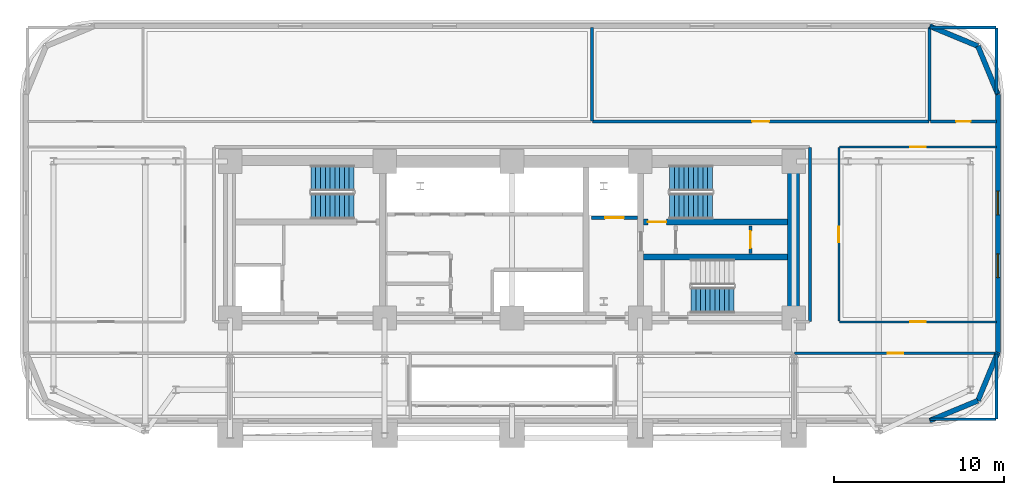
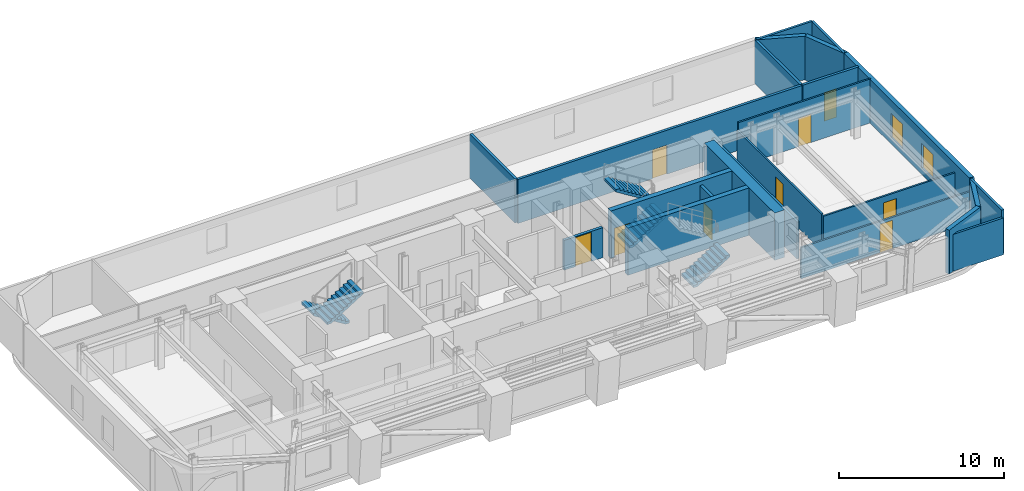
# One storey, part 10 of 15: 23 walls, 9 doors, 5 stair flights, 2 windows, 11 openings, 3 elements without a shape of their own.
"""IFC4 building model written with IfcOpenShell, lengths in metres."""

from ifc_helpers import new_model, si_unit, direction, frame, frame_2d, origin, place, context, subcontext, project, spatial, polyline, rectangle, outline, extrude, material, layer, layer_set, type_object, element, fill, aggregate, save


model = new_model("IFC4")

# Units and contexts
model_context = context("Model", 3, precision=1e-05, world=origin(), true_north=direction((0.0, 1.0)))
body_context = subcontext(model_context, "Body", "Model", "MODEL_VIEW")
ifc_project = project(units=[si_unit("LENGTHUNIT", "METRE"), si_unit("AREAUNIT", "SQUARE_METRE"), si_unit("VOLUMEUNIT", "CUBIC_METRE"), si_unit("PLANEANGLEUNIT", "RADIAN"), si_unit("MASSUNIT", "GRAM", prefix="KILO")], contexts=[model_context])

# Site, building, storey
site_placement = place(None, origin())
site = spatial("IfcSite", under=ifc_project, at=site_placement, CompositionType="ELEMENT")
building_placement = place(site_placement, origin())
building = spatial("IfcBuilding", under=site, at=building_placement, Name="Zarnavel Station Tower", CompositionType="ELEMENT")
storey_placement = place(building_placement, frame((0.0, 0.0, 57.0)))
storey = spatial("IfcBuildingStorey", under=building, at=storey_placement, Name="L15", CompositionType="ELEMENT", Elevation=57.0)

# Wall, opening, door
ifc_material_1 = material(Name="Concrete C50/60", Category="concrete")
ifc_layer_1 = layer(ifc_material_1, 0.35009765625)
ifc_layer_set_1 = layer_set([ifc_layer_1], Name="CW_350")
wall_type_1 = type_object("IfcWallType", Name="CW_350", PredefinedType="SHEAR", material=ifc_layer_set_1)
wall_1_placement = place(storey_placement, frame((45.030029296875, 33.47998046875, 0.0), z_axis=(0.0, 0.0, 1.0), x_axis=(-1.0, 0.0, 0.0)))
wall_1 = element("IfcWall", 1, at=wall_1_placement, inside=storey, type_object=wall_type_1, Name="L15 Rear Core Shear Wall DIV-H2", PredefinedType="SHEAR", context=body_context, shape_type="SweptSolid", body=[
    extrude(rectangle(XDim=8.47509765625, YDim=0.35009765625, at=frame_2d((4.237548828125, 0.0))), origin(), (0.0, 0.0, 1.0), 3.5),
])
opening_1_placement = place(wall_1_placement, frame((7.1298828125, 0.0, 0.0)))
opening_1 = element("IfcOpeningElement", 2, at=opening_1_placement, cuts=wall_1, Name="Opening FD01", PredefinedType="OPENING", context=body_context, shape_type="SweptSolid", body=[
    extrude(rectangle(XDim=1.10009765625, YDim=2.14990234375, at=frame_2d((0.550048828125, 1.074951171875))), frame((0.0, 0.18505859375, 0.0), z_axis=(0.0, -1.0, 0.0), x_axis=(1.0, 0.0, 0.0)), (0.0, 0.0, 1.0), 0.3701171875),
])
ifc_material_2 = material(Name="Painted Galvanised Steel and Hardwood Leaf", Category="steel")
door_type_1 = type_object("IfcDoorType", Name="ID_STAIR_1100", OperationType="NOTDEFINED", PredefinedType="DOOR", material=ifc_material_2)
door_1_placement = place(opening_1_placement, origin())
door_1 = element("IfcDoor", 3, at=door_1_placement, inside=storey, type_object=door_type_1, Name="L15 Stair ST2 Lobby Fire Door", OperationType="SINGLE_SWING_RIGHT", OverallHeight=2.14990234375, OverallWidth=1.10009765625, PredefinedType="DOOR", context=body_context, shape_type="SweptSolid", body=[
    extrude(rectangle(XDim=1.10009765625, YDim=2.14990234375, at=frame_2d((0.550048828125, 1.074951171875))), frame((0.0, 0.02490234375, 0.0), z_axis=(0.0, -1.0, 0.0), x_axis=(1.0, 0.0, 0.0)), (0.0, 0.0, 1.0), 0.050048828125),
])
fill(opening_1, door_1)

# Walls
wall_2_placement = place(storey_placement, frame((36.554931640625, 31.419921875, 0.0), z_axis=(0.0, 0.0, 1.0), x_axis=(1.0, 0.0, 0.0)))
element("IfcWall", 4, at=wall_2_placement, inside=storey, type_object=wall_type_1, Name="L15 Rear Core Shear Wall DIV-H3", PredefinedType="SHEAR", context=body_context, shape_type="SweptSolid", body=[
    extrude(rectangle(XDim=8.47509765625, YDim=0.35009765625, at=frame_2d((4.237548828125, 0.0))), origin(), (0.0, 0.0, 1.0), 3.5),
])
ifc_material_3 = material(Name="Concrete C60/75", Category="concrete")
ifc_layer_2 = layer(ifc_material_3, 0.699951171875)
ifc_layer_set_2 = layer_set([ifc_layer_2], Name="CW_700")
wall_type_2 = type_object("IfcWallType", Name="CW_700", PredefinedType="SHEAR", material=ifc_layer_set_2)
wall_3_placement = place(storey_placement, frame((45.3798828125, 28.169921875, 0.0), z_axis=(0.0, 0.0, 1.0), x_axis=(0.0, 1.0, 0.0)))
element("IfcWall", 5, at=wall_3_placement, inside=storey, type_object=wall_type_2, Name="L15 Rear Core Shear Wall E", PredefinedType="SHEAR", context=body_context, shape_type="SweptSolid", body=[
    extrude(rectangle(XDim=8.530029296875, YDim=0.699951171875, at=frame_2d((4.26513671875, 0.0))), origin(), (0.0, 0.0, 1.0), 3.5),
])
ifc_material_4 = material(Name="Precast concrete C45/55 (Dark Basalt Finish)", Category="masonry")
ifc_layer_3 = layer(ifc_material_4, 0.300048828125)
ifc_layer_set_3 = layer_set([ifc_layer_3], Name="EW_BASALT_300")
wall_type_3 = type_object("IfcWallType", Name="EW_BASALT_300", PredefinedType="SOLIDWALL", material=ifc_layer_set_3)
wall_4_placement = place(storey_placement, frame((56.24267578125, 22.95751953125, 0.0), z_axis=(0.0, 0.0, 1.0), x_axis=(-0.923882414032, -0.382676475685, 0.0)))
element("IfcWall", 6, at=wall_4_placement, inside=storey, type_object=wall_type_3, Name="L15 Exterior Basalt Masonry Frame Wall 01", PredefinedType="SOLIDWALL", context=body_context, shape_type="SweptSolid", body=[
    extrude(rectangle(XDim=3.076904296875, YDim=0.300048828125, at=frame_2d((1.53857421875, 0.0))), origin(), (0.0, 0.0, 1.0), 3.239990234375),
])
wall_5_placement = place(storey_placement, frame((57.419921875, 25.800048828125, 0.0), z_axis=(0.0, 0.0, 1.0), x_axis=(-0.382636798336, -0.92389884758, 0.0)))
element("IfcWall", 7, at=wall_5_placement, inside=storey, type_object=wall_type_3, Name="L15 Exterior Basalt Masonry Frame Wall 02", PredefinedType="SOLIDWALL", context=body_context, shape_type="SweptSolid", body=[
    extrude(rectangle(XDim=3.07666015625, YDim=0.300048828125, at=frame_2d((1.538330078125, 0.0))), origin(), (0.0, 0.0, 1.0), 3.239990234375),
])

# Wall, openings, windows
wall_6_placement = place(storey_placement, frame((57.419921875, 41.0, 0.0), z_axis=(0.0, 0.0, 1.0), x_axis=(0.0, -1.0, 0.0)))
wall_6 = element("IfcWall", 8, at=wall_6_placement, inside=storey, type_object=wall_type_3, Name="L15 Exterior Basalt Masonry Frame Wall 03", PredefinedType="SOLIDWALL", context=body_context, shape_type="SweptSolid", body=[
    extrude(rectangle(XDim=15.199951171875, YDim=0.300048828125, at=frame_2d((7.60009765625, 0.0))), origin(), (0.0, 0.0, 1.0), 3.239990234375),
])
opening_2_placement = place(wall_6_placement, frame((5.699951171875, 0.0, 0.47998046875)))
opening_2 = element("IfcOpeningElement", 9, at=opening_2_placement, cuts=wall_6, Name="Opening WN01", PredefinedType="OPENING", context=body_context, shape_type="SweptSolid", body=[
    extrude(rectangle(XDim=1.39990234375, YDim=1.800048828125, at=frame_2d((0.699951171875, 0.89990234375))), frame((0.0, 0.159912109375, 0.0), z_axis=(0.0, -1.0, 0.0), x_axis=(1.0, 0.0, 0.0)), (0.0, 0.0, 1.0), 0.320068359375),
])
opening_3_placement = place(wall_6_placement, frame((9.39990234375, 0.0, 0.47998046875)))
opening_3 = element("IfcOpeningElement", 10, at=opening_3_placement, cuts=wall_6, Name="Opening WN01", PredefinedType="OPENING", context=body_context, shape_type="SweptSolid", body=[
    extrude(rectangle(XDim=1.39990234375, YDim=1.800048828125, at=frame_2d((0.699951171875, 0.89990234375))), frame((0.0, 0.159912109375, 0.0), z_axis=(0.0, -1.0, 0.0), x_axis=(1.0, 0.0, 0.0)), (0.0, 0.0, 1.0), 0.320068359375),
])
ifc_material_5 = material(Name="Thermally Broken Black Aluminium and Low-E Dark Glass", Category="aluminium")
window_type = type_object("IfcWindowType", Name="WN_1400x1800", PartitioningType="DOUBLE_PANEL_VERTICAL", PredefinedType="WINDOW", material=ifc_material_5)
window_1_placement = place(opening_2_placement, origin())
window_1 = element("IfcWindow", 11, at=window_1_placement, inside=storey, type_object=window_type, Name="L15 Recessed Facade Window 01", OverallHeight=1.800048828125, OverallWidth=1.39990234375, PartitioningType="SINGLE_PANEL", PredefinedType="WINDOW", context=body_context, shape_type="SweptSolid", body=[
    extrude(rectangle(XDim=1.39990234375, YDim=1.800048828125, at=frame_2d((0.699951171875, 0.89990234375))), frame((0.0, 0.030029296875, 0.0), z_axis=(0.0, -1.0, 0.0), x_axis=(1.0, 0.0, 0.0)), (0.0, 0.0, 1.0), 0.06005859375),
])
fill(opening_2, window_1)
window_2_placement = place(opening_3_placement, origin())
window_2 = element("IfcWindow", 12, at=window_2_placement, inside=storey, type_object=window_type, Name="L15 Recessed Facade Window 02", OverallHeight=1.800048828125, OverallWidth=1.39990234375, PartitioningType="SINGLE_PANEL", PredefinedType="WINDOW", context=body_context, shape_type="SweptSolid", body=[
    extrude(rectangle(XDim=1.39990234375, YDim=1.800048828125, at=frame_2d((0.699951171875, 0.89990234375))), frame((0.0, 0.030029296875, 0.0), z_axis=(0.0, -1.0, 0.0), x_axis=(1.0, 0.0, 0.0)), (0.0, 0.0, 1.0), 0.06005859375),
])
fill(opening_3, window_2)

# Walls
wall_7_placement = place(storey_placement, frame((56.24267578125, 43.842529296875, 0.0), z_axis=(0.0, 0.0, 1.0), x_axis=(0.382636798336, -0.92389884758, 0.0)))
element("IfcWall", 13, at=wall_7_placement, inside=storey, type_object=wall_type_3, Name="L15 Exterior Basalt Masonry Frame Wall 04", PredefinedType="SOLIDWALL", context=body_context, shape_type="SweptSolid", body=[
    extrude(rectangle(XDim=3.07666015625, YDim=0.300048828125, at=frame_2d((1.538330078125, 0.0))), origin(), (0.0, 0.0, 1.0), 3.239990234375),
])
wall_8_placement = place(storey_placement, frame((53.39990234375, 45.02001953125, 0.0), z_axis=(0.0, 0.0, 1.0), x_axis=(0.923882414032, -0.382676475685, 0.0)))
element("IfcWall", 14, at=wall_8_placement, inside=storey, type_object=wall_type_3, Name="L15 Exterior Basalt Masonry Frame Wall 05", PredefinedType="SOLIDWALL", context=body_context, shape_type="SweptSolid", body=[
    extrude(rectangle(XDim=3.076904296875, YDim=0.300048828125, at=frame_2d((1.53857421875, 0.0))), origin(), (0.0, 0.0, 1.0), 3.239990234375),
])
ifc_material_6 = material(Name="Gypsum Twin-Stud Acoustic Fire Partition", Category="concrete")
ifc_layer_4 = layer(ifc_material_6, 0.159912109375)
ifc_layer_set_4 = layer_set([ifc_layer_4], Name="PT_DEMISE_160")
wall_type_4 = type_object("IfcWallType", Name="PT_DEMISE_160", PredefinedType="PARTITIONING", material=ifc_layer_set_4)
wall_9_placement = place(storey_placement, frame((46.35009765625, 27.6298828125, 0.0), z_axis=(0.0, 0.0, 1.0), x_axis=(0.0, 1.0, 0.0)))
element("IfcWall", 15, at=wall_9_placement, inside=storey, type_object=wall_type_4, Name="L15 Enclosure Wall COR-E", PredefinedType="PARTITIONING", context=body_context, shape_type="SweptSolid", body=[
    extrude(rectangle(XDim=10.240234375, YDim=0.159912109375, at=frame_2d((5.1201171875, 0.0))), origin(), (0.0, 0.0, 1.0), 2.719970703125),
])
wall_10_placement = place(storey_placement, frame((53.429931640625, 44.93994140625, 0.0), z_axis=(0.0, 0.0, 1.0), x_axis=(1.0, 0.0, 0.0)))
element("IfcWall", 16, at=wall_10_placement, inside=storey, type_object=wall_type_4, Name="L15 Enclosure Wall NL4W", PredefinedType="PARTITIONING", context=body_context, shape_type="SweptSolid", body=[
    extrude(rectangle(XDim=3.880126953125, YDim=0.159912109375, at=frame_2d((1.93994140625, 0.0))), origin(), (0.0, 0.0, 1.0), 3.239990234375),
])
wall_11_placement = place(storey_placement, frame((57.340087890625, 41.030029296875, 0.0), z_axis=(0.0, 0.0, 1.0), x_axis=(0.0, 1.0, 0.0)))
element("IfcWall", 17, at=wall_11_placement, inside=storey, type_object=wall_type_4, Name="L15 Enclosure Wall NL4W", PredefinedType="PARTITIONING", context=body_context, shape_type="SweptSolid", body=[
    extrude(rectangle(XDim=3.8798828125, YDim=0.159912109375, at=frame_2d((1.93994140625, 0.0))), origin(), (0.0, 0.0, 1.0), 3.239990234375),
])
wall_12_placement = place(storey_placement, frame((53.429931640625, 21.860107421875, 0.0), z_axis=(0.0, 0.0, 1.0), x_axis=(1.0, 0.0, 0.0)))
element("IfcWall", 18, at=wall_12_placement, inside=storey, type_object=wall_type_4, Name="L15 Enclosure Wall Z1TEA", PredefinedType="PARTITIONING", context=body_context, shape_type="SweptSolid", body=[
    extrude(rectangle(XDim=3.880126953125, YDim=0.159912109375, at=frame_2d((1.93994140625, 0.0))), origin(), (0.0, 0.0, 1.0), 2.719970703125),
])
wall_13_placement = place(storey_placement, frame((57.340087890625, 21.889892578125, 0.0), z_axis=(0.0, 0.0, 1.0), x_axis=(0.0, 1.0, 0.0)))
element("IfcWall", 19, at=wall_13_placement, inside=storey, type_object=wall_type_4, Name="L15 Enclosure Wall Z1TEA", PredefinedType="PARTITIONING", context=body_context, shape_type="SweptSolid", body=[
    extrude(rectangle(XDim=3.830078125, YDim=0.159912109375, at=frame_2d((1.9150390625, 0.0))), origin(), (0.0, 0.0, 1.0), 3.239990234375),
])

# Wall, opening, door
ifc_material_7 = material(Name="Gypsum Metal-Stud Interior Partition", Category="concrete")
ifc_layer_5 = layer(ifc_material_7, 0.1201171875)
ifc_layer_set_5 = layer_set([ifc_layer_5], Name="PT_ROOM_120")
wall_type_5 = type_object("IfcWallType", Name="PT_ROOM_120", PredefinedType="PARTITIONING", material=ifc_layer_set_5)
wall_14_placement = place(storey_placement, frame((48.090087890625, 27.60009765625, 0.0), z_axis=(0.0, 0.0, 1.0), x_axis=(1.0, 0.0, 0.0)))
wall_14 = element("IfcWall", 20, at=wall_14_placement, inside=storey, type_object=wall_type_5, Name="L15 Partition COR-S-FNE4", PredefinedType="PARTITIONING", context=body_context, shape_type="SweptSolid", body=[
    extrude(rectangle(XDim=9.25, YDim=0.1201171875, at=frame_2d((4.625, 0.0))), origin(), (0.0, 0.0, 1.0), 2.570068359375),
])
opening_4_placement = place(wall_14_placement, frame((4.175048828125, 0.0, 0.0)))
opening_4 = element("IfcOpeningElement", 21, at=opening_4_placement, cuts=wall_14, Name="Opening ID01", PredefinedType="OPENING", context=body_context, shape_type="SweptSolid", body=[
    extrude(rectangle(XDim=0.89990234375, YDim=2.10009765625, at=frame_2d((0.449951171875, 1.050048828125))), frame((0.0, 0.070068359375, 0.0), z_axis=(0.0, -1.0, 0.0), x_axis=(1.0, 0.0, 0.0)), (0.0, 0.0, 1.0), 0.14013671875),
])
ifc_material_8 = material(Name="Painted Galvanised Steel and Hardwood Leaf", Category="steel")
door_type_2 = type_object("IfcDoorType", Name="ID_ROOM_900", OperationType="NOTDEFINED", PredefinedType="DOOR", material=ifc_material_8)
door_2_placement = place(opening_4_placement, origin())
door_2 = element("IfcDoor", 22, at=door_2_placement, inside=storey, type_object=door_type_2, Name="L15 Door COR-S-FNE4", OperationType="SINGLE_SWING_LEFT", OverallHeight=2.10009765625, OverallWidth=0.89990234375, PredefinedType="DOOR", context=body_context, shape_type="SweptSolid", body=[
    extrude(rectangle(XDim=0.89990234375, YDim=2.10009765625, at=frame_2d((0.449951171875, 1.050048828125))), frame((0.0, 0.02490234375, 0.0), z_axis=(0.0, -1.0, 0.0), x_axis=(1.0, 0.0, 0.0)), (0.0, 0.0, 1.0), 0.050048828125),
])
fill(opening_4, door_2)

wall_15_placement = place(storey_placement, frame((45.43994140625, 25.75, 0.0), z_axis=(0.0, 0.0, 1.0), x_axis=(1.0, 0.0, 0.0)))
wall_15 = element("IfcWall", 23, at=wall_15_placement, inside=storey, type_object=wall_type_5, Name="L15 Partition COR-S-Z1TEA", PredefinedType="PARTITIONING", context=body_context, shape_type="SweptSolid", body=[
    extrude(rectangle(XDim=11.900146484375, YDim=0.1201171875, at=frame_2d((5.9501953125, 0.0))), origin(), (0.0, 0.0, 1.0), 2.31005859375),
])
opening_5_placement = place(wall_15_placement, frame((5.5, 0.0, 0.0)))
opening_5 = element("IfcOpeningElement", 24, at=opening_5_placement, cuts=wall_15, Name="Opening ID01", PredefinedType="OPENING", context=body_context, shape_type="SweptSolid", body=[
    extrude(rectangle(XDim=0.89990234375, YDim=2.10009765625, at=frame_2d((0.449951171875, 1.050048828125))), frame((0.0, 0.070068359375, 0.0), z_axis=(0.0, -1.0, 0.0), x_axis=(1.0, 0.0, 0.0)), (0.0, 0.0, 1.0), 0.14013671875),
])
door_3_placement = place(opening_5_placement, origin())
door_3 = element("IfcDoor", 25, at=door_3_placement, inside=storey, type_object=door_type_2, Name="L15 Door COR-S-Z1TEA", OperationType="SINGLE_SWING_LEFT", OverallHeight=2.10009765625, OverallWidth=0.89990234375, PredefinedType="DOOR", context=body_context, shape_type="SweptSolid", body=[
    extrude(rectangle(XDim=0.89990234375, YDim=2.10009765625, at=frame_2d((0.449951171875, 1.050048828125))), frame((0.0, 0.02490234375, 0.0), z_axis=(0.0, -1.0, 0.0), x_axis=(1.0, 0.0, 0.0)), (0.0, 0.0, 1.0), 0.050048828125),
])
fill(opening_5, door_3)

wall_16_placement = place(storey_placement, frame((48.050048828125, 27.639892578125, 0.0), z_axis=(0.0, 0.0, 1.0), x_axis=(0.0, 1.0, 0.0)))
wall_16 = element("IfcWall", 26, at=wall_16_placement, inside=storey, type_object=wall_type_5, Name="L15 Partition COR-E-FNE4", PredefinedType="PARTITIONING", context=body_context, shape_type="SweptSolid", body=[
    extrude(rectangle(XDim=10.22021484375, YDim=0.1201171875, at=frame_2d((5.110107421875, 0.0))), origin(), (0.0, 0.0, 1.0), 2.719970703125),
])
opening_6_placement = place(wall_16_placement, frame((4.659912109375, 0.0, 0.0)))
opening_6 = element("IfcOpeningElement", 27, at=opening_6_placement, cuts=wall_16, Name="Opening ID01", PredefinedType="OPENING", context=body_context, shape_type="SweptSolid", body=[
    extrude(rectangle(XDim=0.89990234375, YDim=2.10009765625, at=frame_2d((0.449951171875, 1.050048828125))), frame((0.0, 0.070068359375, 0.0), z_axis=(0.0, -1.0, 0.0), x_axis=(1.0, 0.0, 0.0)), (0.0, 0.0, 1.0), 0.14013671875),
])
door_4_placement = place(opening_6_placement, origin())
door_4 = element("IfcDoor", 28, at=door_4_placement, inside=storey, type_object=door_type_2, Name="L15 Door COR-E-FNE4", OperationType="SINGLE_SWING_LEFT", OverallHeight=2.10009765625, OverallWidth=0.89990234375, PredefinedType="DOOR", context=body_context, shape_type="SweptSolid", body=[
    extrude(rectangle(XDim=0.89990234375, YDim=2.10009765625, at=frame_2d((0.449951171875, 1.050048828125))), frame((0.0, 0.02490234375, 0.0), z_axis=(0.0, -1.0, 0.0), x_axis=(1.0, 0.0, 0.0)), (0.0, 0.0, 1.0), 0.050048828125),
])
fill(opening_6, door_4)

wall_17_placement = place(storey_placement, frame((48.090087890625, 37.89990234375, 0.0), z_axis=(0.0, 0.0, 1.0), x_axis=(1.0, 0.0, 0.0)))
wall_17 = element("IfcWall", 29, at=wall_17_placement, inside=storey, type_object=wall_type_5, Name="L15 Partition COR-N-FNE4", PredefinedType="PARTITIONING", context=body_context, shape_type="SweptSolid", body=[
    extrude(rectangle(XDim=9.25, YDim=0.1201171875, at=frame_2d((4.625, 0.0))), origin(), (0.0, 0.0, 1.0), 3.239990234375),
])
opening_7_placement = place(wall_17_placement, frame((4.175048828125, 0.0, 0.0)))
opening_7 = element("IfcOpeningElement", 30, at=opening_7_placement, cuts=wall_17, Name="Opening ID01", PredefinedType="OPENING", context=body_context, shape_type="SweptSolid", body=[
    extrude(rectangle(XDim=0.89990234375, YDim=2.10009765625, at=frame_2d((0.449951171875, 1.050048828125))), frame((0.0, 0.070068359375, 0.0), z_axis=(0.0, -1.0, 0.0), x_axis=(1.0, 0.0, 0.0)), (0.0, 0.0, 1.0), 0.14013671875),
])
door_5_placement = place(opening_7_placement, origin())
door_5 = element("IfcDoor", 31, at=door_5_placement, inside=storey, type_object=door_type_2, Name="L15 Door COR-N-FNE4", OperationType="SINGLE_SWING_LEFT", OverallHeight=2.10009765625, OverallWidth=0.89990234375, PredefinedType="DOOR", context=body_context, shape_type="SweptSolid", body=[
    extrude(rectangle(XDim=0.89990234375, YDim=2.10009765625, at=frame_2d((0.449951171875, 1.050048828125))), frame((0.0, 0.02490234375, 0.0), z_axis=(0.0, -1.0, 0.0), x_axis=(1.0, 0.0, 0.0)), (0.0, 0.0, 1.0), 0.050048828125),
])
fill(opening_7, door_5)

ifc_material_9 = material(Name="Precast concrete C45/55 (Fire Shaft Blockwork)", Category="masonry")
ifc_layer_6 = layer(ifc_material_9, 0.199951171875)
ifc_layer_set_6 = layer_set([ifc_layer_6], Name="PT_SHAFT_200")
wall_type_6 = type_object("IfcWallType", Name="PT_SHAFT_200", PredefinedType="PARTITIONING", material=ifc_layer_set_6)
wall_18_placement = place(storey_placement, frame((33.47509765625, 33.72998046875, 0.0), z_axis=(0.0, 0.0, 1.0), x_axis=(1.0, 0.0, 0.0)))
wall_18 = element("IfcWall", 32, at=wall_18_placement, inside=storey, type_object=wall_type_6, Name="L15 Lift FFL-02 Shaft Front Wall", PredefinedType="PARTITIONING", context=body_context, shape_type="SweptSolid", body=[
    extrude(rectangle(XDim=2.724853515625, YDim=0.199951171875, at=frame_2d((1.3623046875, 0.0))), origin(), (0.0, 0.0, 1.0), 2.2119140625),
])
opening_8_placement = place(wall_18_placement, frame((0.8125, 0.0, 0.0)))
opening_8 = element("IfcOpeningElement", 33, at=opening_8_placement, cuts=wall_18, Name="Opening LD01", PredefinedType="OPENING", context=body_context, shape_type="SweptSolid", body=[
    extrude(rectangle(XDim=1.10009765625, YDim=2.14990234375, at=frame_2d((0.550048828125, 1.074951171875))), frame((0.0, 0.10986328125, 0.0), z_axis=(0.0, -1.0, 0.0), x_axis=(1.0, 0.0, 0.0)), (0.0, 0.0, 1.0), 0.219970703125),
])
ifc_material_10 = material(Name="Painted Galvanised Steel and Hardwood Leaf", Category="steel")
door_type_3 = type_object("IfcDoorType", Name="LD_FF_1100", OperationType="DOUBLE_DOOR_SLIDING", PredefinedType="DOOR", material=ifc_material_10)
door_6_placement = place(opening_8_placement, origin())
door_6 = element("IfcDoor", 34, at=door_6_placement, inside=storey, type_object=door_type_3, Name="L15 Lift FFL-02 Sliding Landing Door", OperationType="DOUBLE_DOOR_SLIDING", OverallHeight=2.14990234375, OverallWidth=1.10009765625, PredefinedType="DOOR", context=body_context, shape_type="SweptSolid", body=[
    extrude(rectangle(XDim=1.10009765625, YDim=2.14990234375, at=frame_2d((0.550048828125, 1.074951171875))), frame((0.0, 0.02490234375, 0.0), z_axis=(0.0, -1.0, 0.0), x_axis=(1.0, 0.0, 0.0)), (0.0, 0.0, 1.0), 0.050048828125),
])
fill(opening_8, door_6)

wall_19_placement = place(storey_placement, frame((42.85009765625, 31.639892578125, 0.0), z_axis=(0.0, 0.0, 1.0), x_axis=(0.0, 1.0, 0.0)))
wall_19 = element("IfcWall", 35, at=wall_19_placement, inside=storey, type_object=wall_type_6, Name="L15 Partition CEA-CEB", PredefinedType="PARTITIONING", context=body_context, shape_type="SweptSolid", body=[
    extrude(rectangle(XDim=1.6201171875, YDim=0.199951171875, at=frame_2d((0.81005859375, 0.0))), origin(), (0.0, 0.0, 1.0), 3.239990234375),
])
opening_9_placement = place(wall_19_placement, frame((0.31005859375, 0.0, 0.0)))
opening_9 = element("IfcOpeningElement", 36, at=opening_9_placement, cuts=wall_19, Name="Opening FD02", PredefinedType="OPENING", context=body_context, shape_type="SweptSolid", body=[
    extrude(rectangle(XDim=1.0, YDim=2.14990234375, at=frame_2d((0.5, 1.074951171875))), frame((0.0, 0.10986328125, 0.0), z_axis=(0.0, -1.0, 0.0), x_axis=(1.0, 0.0, 0.0)), (0.0, 0.0, 1.0), 0.219970703125),
])
ifc_material_11 = material(Name="Painted Galvanised Steel and Hardwood Leaf", Category="steel")
door_type_4 = type_object("IfcDoorType", Name="ID_ENTRY_1000", OperationType="NOTDEFINED", PredefinedType="DOOR", material=ifc_material_11)
door_7_placement = place(opening_9_placement, origin())
door_7 = element("IfcDoor", 37, at=door_7_placement, inside=storey, type_object=door_type_4, Name="L15 Door CEA-CEB", OperationType="SINGLE_SWING_RIGHT", OverallHeight=2.14990234375, OverallWidth=1.0, PredefinedType="DOOR", context=body_context, shape_type="SweptSolid", body=[
    extrude(rectangle(XDim=1.0, YDim=2.14990234375, at=frame_2d((0.5, 1.074951171875))), frame((0.0, 0.02490234375, 0.0), z_axis=(0.0, -1.0, 0.0), x_axis=(1.0, 0.0, 0.0)), (0.0, 0.0, 1.0), 0.050048828125),
])
fill(opening_9, door_7)

ifc_material_12 = material(Name="Moisture-Resistant Plumbing Chase Wall", Category="concrete")
ifc_layer_7 = layer(ifc_material_12, 0.179931640625)
ifc_layer_set_7 = layer_set([ifc_layer_7], Name="PW_PLUMB_180")
wall_type_7 = type_object("IfcWallType", Name="PW_PLUMB_180", PredefinedType="PLUMBINGWALL", material=ifc_layer_set_7)
wall_20_placement = place(storey_placement, frame((33.5400390625, 39.39990234375, 0.0), z_axis=(0.0, 0.0, 1.0), x_axis=(1.0, 0.0, 0.0)))
wall_20 = element("IfcWall", 38, at=wall_20_placement, inside=storey, type_object=wall_type_7, Name="L15 Partition COR-N-NL4B", PredefinedType="PLUMBINGWALL", context=body_context, shape_type="SweptSolid", body=[
    extrude(rectangle(XDim=19.820068359375, YDim=0.179931640625, at=frame_2d((9.91015625, 0.0))), origin(), (0.0, 0.0, 1.0), 3.239990234375),
])
opening_10_placement = place(wall_20_placement, frame((9.409912109375, 0.0, 0.0)))
opening_10 = element("IfcOpeningElement", 39, at=opening_10_placement, cuts=wall_20, Name="Opening FD02", PredefinedType="OPENING", context=body_context, shape_type="SweptSolid", body=[
    extrude(rectangle(XDim=1.0, YDim=2.14990234375, at=frame_2d((0.5, 1.074951171875))), frame((0.0, 0.099853515625, 0.0), z_axis=(0.0, -1.0, 0.0), x_axis=(1.0, 0.0, 0.0)), (0.0, 0.0, 1.0), 0.199951171875),
])
door_8_placement = place(opening_10_placement, origin())
door_8 = element("IfcDoor", 40, at=door_8_placement, inside=storey, type_object=door_type_4, Name="L15 Door COR-N-NL4B", OperationType="SINGLE_SWING_RIGHT", OverallHeight=2.14990234375, OverallWidth=1.0, PredefinedType="DOOR", context=body_context, shape_type="SweptSolid", body=[
    extrude(rectangle(XDim=1.0, YDim=2.14990234375, at=frame_2d((0.5, 1.074951171875))), frame((0.0, 0.02490234375, 0.0), z_axis=(0.0, -1.0, 0.0), x_axis=(1.0, 0.0, 0.0)), (0.0, 0.0, 1.0), 0.050048828125),
])
fill(opening_10, door_8)

wall_21_placement = place(storey_placement, frame((53.43994140625, 39.39990234375, 0.0), z_axis=(0.0, 0.0, 1.0), x_axis=(1.0, 0.0, 0.0)))
wall_21 = element("IfcWall", 41, at=wall_21_placement, inside=storey, type_object=wall_type_7, Name="L15 Partition COR-N-NL4W", PredefinedType="PLUMBINGWALL", context=body_context, shape_type="SweptSolid", body=[
    extrude(rectangle(XDim=3.900146484375, YDim=0.179931640625, at=frame_2d((1.9501953125, 0.0))), origin(), (0.0, 0.0, 1.0), 3.239990234375),
])
opening_11_placement = place(wall_21_placement, frame((1.52490234375, 0.0, 0.0)))
opening_11 = element("IfcOpeningElement", 42, at=opening_11_placement, cuts=wall_21, Name="Opening ID02", PredefinedType="OPENING", context=body_context, shape_type="SweptSolid", body=[
    extrude(rectangle(XDim=0.85009765625, YDim=2.10009765625, at=frame_2d((0.425048828125, 1.050048828125))), frame((0.0, 0.099853515625, 0.0), z_axis=(0.0, -1.0, 0.0), x_axis=(1.0, 0.0, 0.0)), (0.0, 0.0, 1.0), 0.199951171875),
])
ifc_material_13 = material(Name="Painted Galvanised Steel and Hardwood Leaf", Category="steel")
door_type_5 = type_object("IfcDoorType", Name="ID_BATH_850", OperationType="NOTDEFINED", PredefinedType="DOOR", material=ifc_material_13)
door_9_placement = place(opening_11_placement, origin())
door_9 = element("IfcDoor", 43, at=door_9_placement, inside=storey, type_object=door_type_5, Name="L15 Door COR-N-NL4W", OperationType="SINGLE_SWING_LEFT", OverallHeight=2.10009765625, OverallWidth=0.85009765625, PredefinedType="DOOR", context=body_context, shape_type="SweptSolid", body=[
    extrude(rectangle(XDim=0.85009765625, YDim=2.10009765625, at=frame_2d((0.425048828125, 1.050048828125))), frame((0.0, 0.02490234375, 0.0), z_axis=(0.0, -1.0, 0.0), x_axis=(1.0, 0.0, 0.0)), (0.0, 0.0, 1.0), 0.050048828125),
])
fill(opening_11, door_9)

# Walls
for number, where, z_axis, x_axis, name in (
    (44, (33.5, 39.43994140625, 0.0), (0.0, 0.0, 1.0), (0.0, 1.0, 0.0), "L15 Partition NL4A-NL4B"),
    (45, (53.39990234375, 39.43994140625, 0.0), (0.0, 0.0, 1.0), (0.0, 1.0, 0.0), "L15 Partition NL4B-NL4W"),
):
    element("IfcWall", number, at=place(storey_placement, frame(where, z_axis=z_axis, x_axis=x_axis)), inside=storey, type_object=wall_type_7, Name=name, PredefinedType="PLUMBINGWALL", context=body_context, shape_type="SweptSolid", body=[
        extrude(rectangle(XDim=5.5, YDim=0.179931640625, at=frame_2d((2.75, 0.0))), origin(), (0.0, 0.0, 1.0), 3.239990234375),
    ])

# Stair, stair flights
ifc_material_14 = material(Name="Concrete C45/55", Category="concrete")
stair_type = type_object("IfcStairType", Name="ST_CORE_150", PredefinedType="HALF_TURN_STAIR", material=ifc_material_14)
stair_1_placement = place(storey_placement, origin())
stair_1 = element("IfcStair", 46, at=stair_1_placement, inside=storey, type_object=stair_type, Name="L15 Core Exit Stair ST1", PredefinedType="HALF_TURN_STAIR")
ifc_material_15 = material(Name="Concrete C45/55", Category="concrete")
ifc_layer_8 = layer(ifc_material_15, 0.179931640625)
ifc_layer_set_8 = layer_set([ifc_layer_8], Name="ST_CORE_150_FLT")
stair_flight_type = type_object("IfcStairFlightType", Name="ST_CORE_150_FLT", PredefinedType="STRAIGHT", material=ifc_layer_set_8)
stair_flight_1_placement = place(storey_placement, frame((19.47998046875, 36.070068359375, 0.0), z_axis=(0.0, 0.0, 1.0), x_axis=(-1.0, 0.0, 0.0)))
stair_flight_1 = element("IfcStairFlight", 47, at=stair_flight_1_placement, type_object=stair_flight_type, Name="ST1 flight 1", NumberOfRisers=10, NumberOfTreads=9, PredefinedType="STRAIGHT", RiserHeight=0.175, TreadLength=0.28, context=body_context, shape_type="SweptSolid", body=[
    extrude(outline(polyline([(0.0, 0.0), (0.0, 0.175048828125), (0.280029296875, 0.175048828125), (0.280029296875, 0.35009765625), (0.56005859375, 0.35009765625), (0.56005859375, 0.52490234375), (0.840087890625, 0.52490234375), (0.840087890625, 0.699951171875), (1.1201171875, 0.699951171875), (1.1201171875, 0.875), (1.39990234375, 0.875), (1.39990234375, 1.050048828125), (1.679931640625, 1.050048828125), (1.679931640625, 1.22509765625), (1.9599609375, 1.22509765625), (1.9599609375, 1.39990234375), (2.239990234375, 1.39990234375), (2.239990234375, 1.574951171875), (2.52001953125, 1.574951171875), (2.52001953125, 1.75), (2.52001953125, 1.398193359375), (0.28271484375, 0.0), (0.0, 0.0)])), frame((0.0, 0.75, 0.0), z_axis=(0.0, -1.0, 0.0), x_axis=(1.0, 0.0, 0.0)), (0.0, 0.0, 1.0), 1.5),
])
stair_flight_2_placement = place(storey_placement, frame((16.9599609375, 34.409912109375, 1.75), z_axis=(0.0, 0.0, 1.0), x_axis=(1.0, 0.0, 0.0)))
stair_flight_2 = element("IfcStairFlight", 48, at=stair_flight_2_placement, type_object=stair_flight_type, Name="ST1 flight 2", NumberOfRisers=10, NumberOfTreads=9, PredefinedType="STRAIGHT", RiserHeight=0.175, TreadLength=0.28, context=body_context, shape_type="SweptSolid", body=[
    extrude(outline(polyline([(0.0, 0.0), (0.0, 0.175048828125), (0.280029296875, 0.175048828125), (0.280029296875, 0.35009765625), (0.56005859375, 0.35009765625), (0.56005859375, 0.52490234375), (0.840087890625, 0.52490234375), (0.840087890625, 0.699951171875), (1.1201171875, 0.699951171875), (1.1201171875, 0.875), (1.39990234375, 0.875), (1.39990234375, 1.050048828125), (1.679931640625, 1.050048828125), (1.679931640625, 1.22509765625), (1.9599609375, 1.22509765625), (1.9599609375, 1.39990234375), (2.239990234375, 1.39990234375), (2.239990234375, 1.574951171875), (2.52001953125, 1.574951171875), (2.52001953125, 1.75), (2.52001953125, 1.398193359375), (0.28271484375, 0.0), (0.0, 0.0)])), frame((0.0, 0.75, 0.0), z_axis=(0.0, -1.0, 0.0), x_axis=(1.0, 0.0, 0.0)), (0.0, 0.0, 1.0), 1.5),
])
aggregate(stair_1, [stair_flight_1, stair_flight_2])

stair_2_placement = place(storey_placement, origin())
stair_2 = element("IfcStair", 49, at=stair_2_placement, inside=storey, type_object=stair_type, Name="L15 Core Exit Stair ST2", PredefinedType="HALF_TURN_STAIR")
stair_flight_3_placement = place(storey_placement, frame((38.080078125, 34.409912109375, 0.0), z_axis=(0.0, 0.0, 1.0), x_axis=(1.0, 0.0, 0.0)))
stair_flight_3 = element("IfcStairFlight", 50, at=stair_flight_3_placement, type_object=stair_flight_type, Name="ST2 flight 1", NumberOfRisers=10, NumberOfTreads=9, PredefinedType="STRAIGHT", RiserHeight=0.175, TreadLength=0.28, context=body_context, shape_type="SweptSolid", body=[
    extrude(outline(polyline([(0.0, 0.0), (0.0, 0.175048828125), (0.280029296875, 0.175048828125), (0.280029296875, 0.35009765625), (0.56005859375, 0.35009765625), (0.56005859375, 0.52490234375), (0.840087890625, 0.52490234375), (0.840087890625, 0.699951171875), (1.1201171875, 0.699951171875), (1.1201171875, 0.875), (1.39990234375, 0.875), (1.39990234375, 1.050048828125), (1.679931640625, 1.050048828125), (1.679931640625, 1.22509765625), (1.9599609375, 1.22509765625), (1.9599609375, 1.39990234375), (2.239990234375, 1.39990234375), (2.239990234375, 1.574951171875), (2.52001953125, 1.574951171875), (2.52001953125, 1.75), (2.52001953125, 1.398193359375), (0.28271484375, 0.0), (0.0, 0.0)])), frame((0.0, 0.75, 0.0), z_axis=(0.0, -1.0, 0.0), x_axis=(1.0, 0.0, 0.0)), (0.0, 0.0, 1.0), 1.5),
])
stair_flight_4_placement = place(storey_placement, frame((40.60009765625, 36.070068359375, 1.75), z_axis=(0.0, 0.0, 1.0), x_axis=(-1.0, 0.0, 0.0)))
stair_flight_4 = element("IfcStairFlight", 51, at=stair_flight_4_placement, type_object=stair_flight_type, Name="ST2 flight 2", NumberOfRisers=10, NumberOfTreads=9, PredefinedType="STRAIGHT", RiserHeight=0.175, TreadLength=0.28, context=body_context, shape_type="SweptSolid", body=[
    extrude(outline(polyline([(0.0, 0.0), (0.0, 0.175048828125), (0.280029296875, 0.175048828125), (0.280029296875, 0.35009765625), (0.56005859375, 0.35009765625), (0.56005859375, 0.52490234375), (0.840087890625, 0.52490234375), (0.840087890625, 0.699951171875), (1.1201171875, 0.699951171875), (1.1201171875, 0.875), (1.39990234375, 0.875), (1.39990234375, 1.050048828125), (1.679931640625, 1.050048828125), (1.679931640625, 1.22509765625), (1.9599609375, 1.22509765625), (1.9599609375, 1.39990234375), (2.239990234375, 1.39990234375), (2.239990234375, 1.574951171875), (2.52001953125, 1.574951171875), (2.52001953125, 1.75), (2.52001953125, 1.398193359375), (0.28271484375, 0.0), (0.0, 0.0)])), frame((0.0, 0.75, 0.0), z_axis=(0.0, -1.0, 0.0), x_axis=(1.0, 0.0, 0.0)), (0.0, 0.0, 1.0), 1.5),
])
aggregate(stair_2, [stair_flight_3, stair_flight_4])

# Stair, stair flight
stair_3_placement = place(storey_placement, origin())
stair_3 = element("IfcStair", 52, at=stair_3_placement, inside=storey, type_object=stair_type, Name="L15 Core Exit Stair ST3", PredefinedType="HALF_TURN_STAIR")
stair_flight_5_placement = place(storey_placement, frame((39.35009765625, 28.8701171875, 0.0), z_axis=(0.0, 0.0, 1.0), x_axis=(1.0, 0.0, 0.0)))
stair_flight_5 = element("IfcStairFlight", 53, at=stair_flight_5_placement, type_object=stair_flight_type, Name="ST3 flight 1", NumberOfRisers=10, NumberOfTreads=9, PredefinedType="STRAIGHT", RiserHeight=0.175, TreadLength=0.28, context=body_context, shape_type="SweptSolid", body=[
    extrude(outline(polyline([(0.0, 0.0), (0.0, 0.175048828125), (0.280029296875, 0.175048828125), (0.280029296875, 0.35009765625), (0.56005859375, 0.35009765625), (0.56005859375, 0.52490234375), (0.840087890625, 0.52490234375), (0.840087890625, 0.699951171875), (1.1201171875, 0.699951171875), (1.1201171875, 0.875), (1.39990234375, 0.875), (1.39990234375, 1.050048828125), (1.679931640625, 1.050048828125), (1.679931640625, 1.22509765625), (1.9599609375, 1.22509765625), (1.9599609375, 1.39990234375), (2.239990234375, 1.39990234375), (2.239990234375, 1.574951171875), (2.52001953125, 1.574951171875), (2.52001953125, 1.75), (2.52001953125, 1.398193359375), (0.28271484375, 0.0), (0.0, 0.0)])), frame((0.0, 0.75, 0.0), z_axis=(0.0, -1.0, 0.0), x_axis=(1.0, 0.0, 0.0)), (0.0, 0.0, 1.0), 1.5),
])
aggregate(stair_3, [stair_flight_5])

save(model, "model.ifc")
